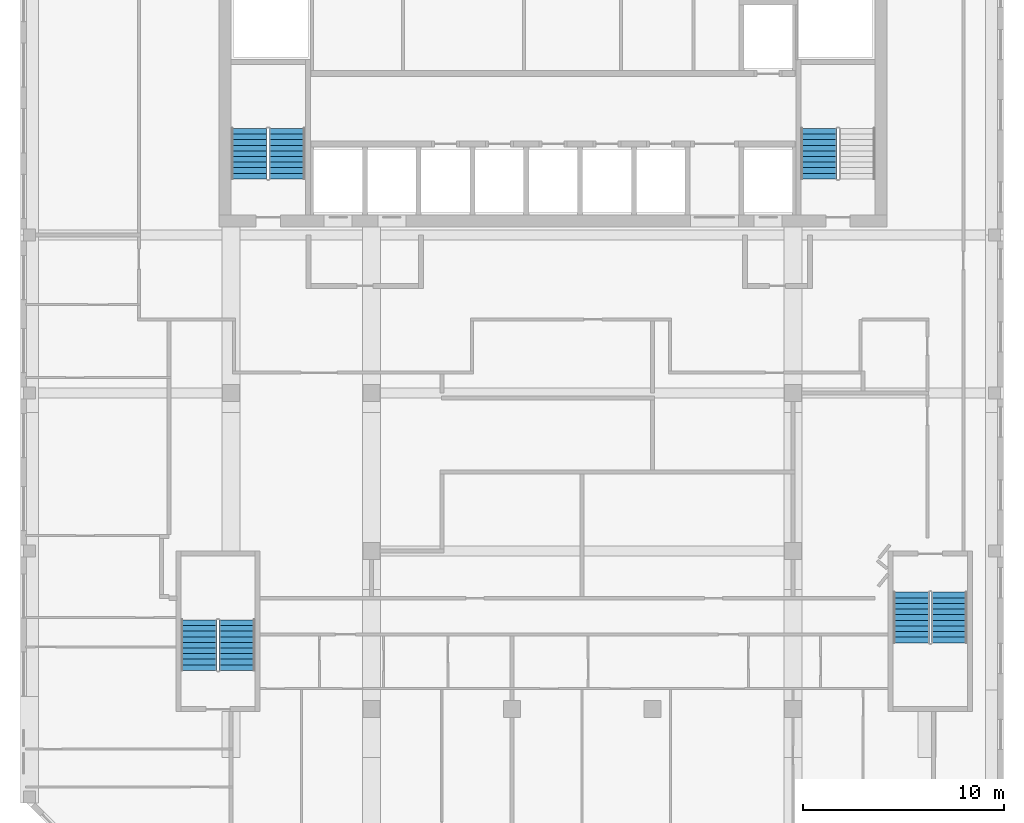
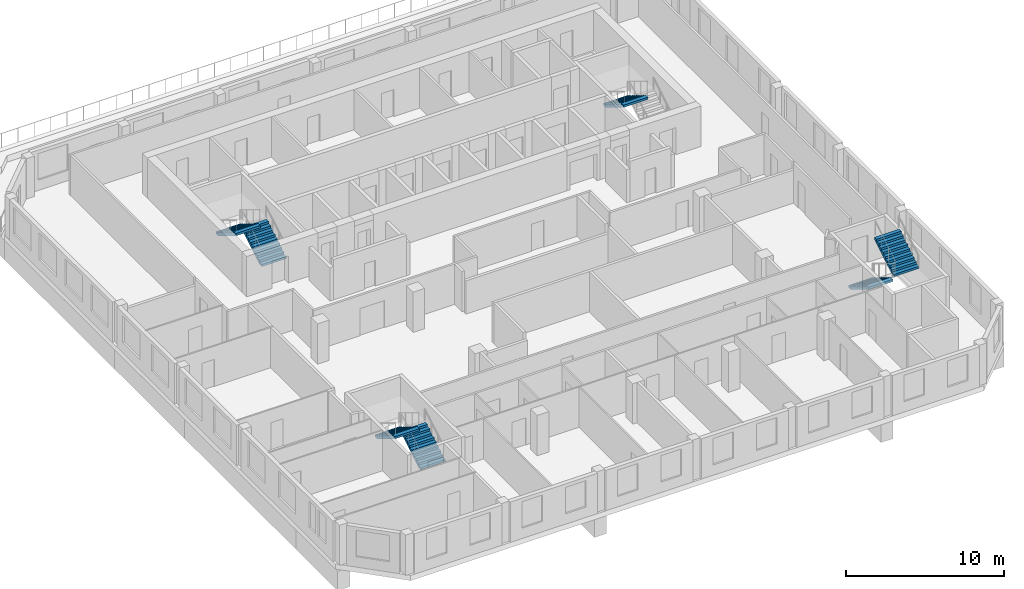
# One storey, part 9 of 12: 7 stair flights, 4 elements without a shape of their own.
"""IFC4 building model written with IfcOpenShell, lengths in metres."""

from ifc_helpers import new_model, si_unit, direction, frame, origin, place, context, subcontext, project, spatial, triangles, source, transform, mapped, material, type_object, element, aggregate, save


model = new_model("IFC4")

# Units and contexts
model_context = context("Model", 3, precision=1e-05, world=origin(), true_north=direction((0.0, 1.0)))
body_context = subcontext(model_context, "Body", "Model", "MODEL_VIEW")
ifc_project = project(units=[si_unit("LENGTHUNIT", "METRE"), si_unit("AREAUNIT", "SQUARE_METRE"), si_unit("VOLUMEUNIT", "CUBIC_METRE"), si_unit("PLANEANGLEUNIT", "RADIAN"), si_unit("MASSUNIT", "GRAM", prefix="KILO")], contexts=[model_context])

# Site, building, storey
site_placement = place(None, origin())
site = spatial("IfcSite", under=ifc_project, at=site_placement, CompositionType="ELEMENT")
building_placement = place(site_placement, origin())
building = spatial("IfcBuilding", under=site, at=building_placement, Name="Kilnfold Tower and Market Hall", CompositionType="ELEMENT")
storey_placement = place(building_placement, frame((0.0, 0.0, 295.0)))
storey = spatial("IfcBuildingStorey", under=building, at=storey_placement, Name="L73", CompositionType="ELEMENT", Elevation=295.0)

# Stair, stair flights
ifc_material_1 = material(Name="Concrete C40/50", Category="concrete")
stair_type = type_object("IfcStairType", Name="CORE STAIR 1800", PredefinedType="HALF_TURN_STAIR", material=ifc_material_1)
stair_1_placement = place(storey_placement, origin())
stair_1 = element("IfcStair", 1, at=stair_1_placement, inside=storey, type_object=stair_type, Name="L73 ST1", PredefinedType="HALF_TURN_STAIR")
ifc_material_2 = material(Name="Concrete C40/50", Category="concrete")
stair_flight_type = type_object("IfcStairFlightType", Name="CORE STAIR FLIGHT 1800", PredefinedType="STRAIGHT", material=ifc_material_2)
shared_shape = source(origin(), body_context, "Body", "Tessellation", [
    triangles([(0.0, 0.89990234375, 0.0), (0.0, 0.78759765625, 0.0), (0.0, 0.675048828125, 0.0), (0.0, 0.5625, 0.0), (0.0, 0.449951171875, 0.0), (0.0, 0.33740234375, 0.0), (0.0, 0.22509765625, 0.0), (0.0, 0.112548828125, 0.0), (0.0, 0.0, 0.0), (0.0, -0.112548828125, 0.0), (0.0, -0.22509765625, 0.0), (0.0, -0.33740234375, 0.0), (0.0, -0.449951171875, 0.0), (0.0, -0.5625, 0.0), (0.0, -0.675048828125, 0.0), (0.0, -0.78759765625, 0.0), (0.0, -0.89990234375, 0.0), (0.0, 0.89990234375, 0.169921875), (0.0, 0.78759765625, 0.169921875), (0.0, 0.675048828125, 0.169921875), (0.0, 0.5625, 0.169921875), (0.0, 0.449951171875, 0.169921875), (0.0, 0.33740234375, 0.169921875), (0.0, 0.22509765625, 0.169921875), (0.0, 0.112548828125, 0.169921875), (0.0, 0.0, 0.169921875), (0.0, -0.112548828125, 0.169921875), (0.0, -0.22509765625, 0.169921875), (0.0, -0.33740234375, 0.169921875), (0.0, -0.449951171875, 0.169921875), (0.0, -0.5625, 0.169921875), (0.0, -0.675048828125, 0.169921875), (0.0, -0.78759765625, 0.169921875), (0.0, -0.89990234375, 0.169921875), (0.280029296875, 0.89990234375, 0.169921875), (0.280029296875, 0.78759765625, 0.169921875), (0.280029296875, 0.675048828125, 0.169921875), (0.280029296875, 0.5625, 0.169921875), (0.280029296875, 0.449951171875, 0.169921875), (0.280029296875, 0.33740234375, 0.169921875), (0.280029296875, 0.22509765625, 0.169921875), (0.280029296875, 0.112548828125, 0.169921875), (0.280029296875, 0.0, 0.169921875), (0.280029296875, -0.112548828125, 0.169921875), (0.280029296875, -0.22509765625, 0.169921875), (0.280029296875, -0.33740234375, 0.169921875), (0.280029296875, -0.449951171875, 0.169921875), (0.280029296875, -0.5625, 0.169921875), (0.280029296875, -0.675048828125, 0.169921875), (0.280029296875, -0.78759765625, 0.169921875), (0.280029296875, -0.89990234375, 0.169921875), (0.280029296875, 0.89990234375, 0.340087890625), (0.280029296875, 0.78759765625, 0.340087890625), (0.280029296875, 0.675048828125, 0.340087890625), (0.280029296875, 0.5625, 0.340087890625), (0.280029296875, 0.449951171875, 0.340087890625), (0.280029296875, 0.33740234375, 0.340087890625), (0.280029296875, 0.22509765625, 0.340087890625), (0.280029296875, 0.112548828125, 0.340087890625), (0.280029296875, 0.0, 0.340087890625), (0.280029296875, -0.112548828125, 0.340087890625), (0.280029296875, -0.22509765625, 0.340087890625), (0.280029296875, -0.33740234375, 0.340087890625), (0.280029296875, -0.449951171875, 0.340087890625), (0.280029296875, -0.5625, 0.340087890625), (0.280029296875, -0.675048828125, 0.340087890625), (0.280029296875, -0.78759765625, 0.340087890625), (0.280029296875, -0.89990234375, 0.340087890625), (0.56005859375, 0.89990234375, 0.340087890625), (0.56005859375, 0.78759765625, 0.340087890625), (0.56005859375, 0.675048828125, 0.340087890625), (0.56005859375, 0.5625, 0.340087890625), (0.56005859375, 0.449951171875, 0.340087890625), (0.56005859375, 0.33740234375, 0.340087890625), (0.56005859375, 0.22509765625, 0.340087890625), (0.56005859375, 0.112548828125, 0.340087890625), (0.56005859375, 0.0, 0.340087890625), (0.56005859375, -0.112548828125, 0.340087890625), (0.56005859375, -0.22509765625, 0.340087890625), (0.56005859375, -0.33740234375, 0.340087890625), (0.56005859375, -0.449951171875, 0.340087890625), (0.56005859375, -0.5625, 0.340087890625), (0.56005859375, -0.675048828125, 0.340087890625), (0.56005859375, -0.78759765625, 0.340087890625), (0.56005859375, -0.89990234375, 0.340087890625), (0.56005859375, 0.89990234375, 0.510009765625), (0.56005859375, 0.78759765625, 0.510009765625), (0.56005859375, 0.675048828125, 0.510009765625), (0.56005859375, 0.5625, 0.510009765625), (0.56005859375, 0.449951171875, 0.510009765625), (0.56005859375, 0.33740234375, 0.510009765625), (0.56005859375, 0.22509765625, 0.510009765625), (0.56005859375, 0.112548828125, 0.510009765625), (0.56005859375, 0.0, 0.510009765625), (0.56005859375, -0.112548828125, 0.510009765625), (0.56005859375, -0.22509765625, 0.510009765625), (0.56005859375, -0.33740234375, 0.510009765625), (0.56005859375, -0.449951171875, 0.510009765625), (0.56005859375, -0.5625, 0.510009765625), (0.56005859375, -0.675048828125, 0.510009765625), (0.56005859375, -0.78759765625, 0.510009765625), (0.56005859375, -0.89990234375, 0.510009765625), (0.840087890625, 0.89990234375, 0.510009765625), (0.840087890625, 0.78759765625, 0.510009765625), (0.840087890625, 0.675048828125, 0.510009765625), (0.840087890625, 0.5625, 0.510009765625), (0.840087890625, 0.449951171875, 0.510009765625), (0.840087890625, 0.33740234375, 0.510009765625), (0.840087890625, 0.22509765625, 0.510009765625), (0.840087890625, 0.112548828125, 0.510009765625), (0.840087890625, 0.0, 0.510009765625), (0.840087890625, -0.112548828125, 0.510009765625), (0.840087890625, -0.22509765625, 0.510009765625), (0.840087890625, -0.33740234375, 0.510009765625), (0.840087890625, -0.449951171875, 0.510009765625), (0.840087890625, -0.5625, 0.510009765625), (0.840087890625, -0.675048828125, 0.510009765625), (0.840087890625, -0.78759765625, 0.510009765625), (0.840087890625, -0.89990234375, 0.510009765625), (0.840087890625, 0.89990234375, 0.679931640625), (0.840087890625, 0.78759765625, 0.679931640625), (0.840087890625, 0.675048828125, 0.679931640625), (0.840087890625, 0.5625, 0.679931640625), (0.840087890625, 0.449951171875, 0.679931640625), (0.840087890625, 0.33740234375, 0.679931640625), (0.840087890625, 0.22509765625, 0.679931640625), (0.840087890625, 0.112548828125, 0.679931640625), (0.840087890625, 0.0, 0.679931640625), (0.840087890625, -0.112548828125, 0.679931640625), (0.840087890625, -0.22509765625, 0.679931640625), (0.840087890625, -0.33740234375, 0.679931640625), (0.840087890625, -0.449951171875, 0.679931640625), (0.840087890625, -0.5625, 0.679931640625), (0.840087890625, -0.675048828125, 0.679931640625), (0.840087890625, -0.78759765625, 0.679931640625), (0.840087890625, -0.89990234375, 0.679931640625), (1.1201171875, 0.89990234375, 0.679931640625), (1.1201171875, 0.78759765625, 0.679931640625), (1.1201171875, 0.675048828125, 0.679931640625), (1.1201171875, 0.5625, 0.679931640625), (1.1201171875, 0.449951171875, 0.679931640625), (1.1201171875, 0.33740234375, 0.679931640625), (1.1201171875, 0.22509765625, 0.679931640625), (1.1201171875, 0.112548828125, 0.679931640625), (1.1201171875, 0.0, 0.679931640625), (1.1201171875, -0.112548828125, 0.679931640625), (1.1201171875, -0.22509765625, 0.679931640625), (1.1201171875, -0.33740234375, 0.679931640625), (1.1201171875, -0.449951171875, 0.679931640625), (1.1201171875, -0.5625, 0.679931640625), (1.1201171875, -0.675048828125, 0.679931640625), (1.1201171875, -0.78759765625, 0.679931640625), (1.1201171875, -0.89990234375, 0.679931640625), (1.1201171875, 0.89990234375, 0.85009765625), (1.1201171875, 0.78759765625, 0.85009765625), (1.1201171875, 0.675048828125, 0.85009765625), (1.1201171875, 0.5625, 0.85009765625), (1.1201171875, 0.449951171875, 0.85009765625), (1.1201171875, 0.33740234375, 0.85009765625), (1.1201171875, 0.22509765625, 0.85009765625), (1.1201171875, 0.112548828125, 0.85009765625), (1.1201171875, 0.0, 0.85009765625), (1.1201171875, -0.112548828125, 0.85009765625), (1.1201171875, -0.22509765625, 0.85009765625), (1.1201171875, -0.33740234375, 0.85009765625), (1.1201171875, -0.449951171875, 0.85009765625), (1.1201171875, -0.5625, 0.85009765625), (1.1201171875, -0.675048828125, 0.85009765625), (1.1201171875, -0.78759765625, 0.85009765625), (1.1201171875, -0.89990234375, 0.85009765625), (1.39990234375, 0.89990234375, 0.85009765625), (1.39990234375, 0.78759765625, 0.85009765625), (1.39990234375, 0.675048828125, 0.85009765625), (1.39990234375, 0.5625, 0.85009765625), (1.39990234375, 0.449951171875, 0.85009765625), (1.39990234375, 0.33740234375, 0.85009765625), (1.39990234375, 0.22509765625, 0.85009765625), (1.39990234375, 0.112548828125, 0.85009765625), (1.39990234375, 0.0, 0.85009765625), (1.39990234375, -0.112548828125, 0.85009765625), (1.39990234375, -0.22509765625, 0.85009765625), (1.39990234375, -0.33740234375, 0.85009765625), (1.39990234375, -0.449951171875, 0.85009765625), (1.39990234375, -0.5625, 0.85009765625), (1.39990234375, -0.675048828125, 0.85009765625), (1.39990234375, -0.78759765625, 0.85009765625), (1.39990234375, -0.89990234375, 0.85009765625), (1.39990234375, 0.89990234375, 1.02001953125), (1.39990234375, 0.78759765625, 1.02001953125), (1.39990234375, 0.675048828125, 1.02001953125), (1.39990234375, 0.5625, 1.02001953125), (1.39990234375, 0.449951171875, 1.02001953125), (1.39990234375, 0.33740234375, 1.02001953125), (1.39990234375, 0.22509765625, 1.02001953125), (1.39990234375, 0.112548828125, 1.02001953125), (1.39990234375, 0.0, 1.02001953125), (1.39990234375, -0.112548828125, 1.02001953125), (1.39990234375, -0.22509765625, 1.02001953125), (1.39990234375, -0.33740234375, 1.02001953125), (1.39990234375, -0.449951171875, 1.02001953125), (1.39990234375, -0.5625, 1.02001953125), (1.39990234375, -0.675048828125, 1.02001953125), (1.39990234375, -0.78759765625, 1.02001953125), (1.39990234375, -0.89990234375, 1.02001953125), (1.679931640625, 0.89990234375, 1.02001953125), (1.679931640625, 0.78759765625, 1.02001953125), (1.679931640625, 0.675048828125, 1.02001953125), (1.679931640625, 0.5625, 1.02001953125), (1.679931640625, 0.449951171875, 1.02001953125), (1.679931640625, 0.33740234375, 1.02001953125), (1.679931640625, 0.22509765625, 1.02001953125), (1.679931640625, 0.112548828125, 1.02001953125), (1.679931640625, 0.0, 1.02001953125), (1.679931640625, -0.112548828125, 1.02001953125), (1.679931640625, -0.22509765625, 1.02001953125), (1.679931640625, -0.33740234375, 1.02001953125), (1.679931640625, -0.449951171875, 1.02001953125), (1.679931640625, -0.5625, 1.02001953125), (1.679931640625, -0.675048828125, 1.02001953125), (1.679931640625, -0.78759765625, 1.02001953125), (1.679931640625, -0.89990234375, 1.02001953125), (1.679931640625, 0.89990234375, 1.18994140625), (1.679931640625, 0.78759765625, 1.18994140625), (1.679931640625, 0.675048828125, 1.18994140625), (1.679931640625, 0.5625, 1.18994140625), (1.679931640625, 0.449951171875, 1.18994140625), (1.679931640625, 0.33740234375, 1.18994140625), (1.679931640625, 0.22509765625, 1.18994140625), (1.679931640625, 0.112548828125, 1.18994140625), (1.679931640625, 0.0, 1.18994140625), (1.679931640625, -0.112548828125, 1.18994140625), (1.679931640625, -0.22509765625, 1.18994140625), (1.679931640625, -0.33740234375, 1.18994140625), (1.679931640625, -0.449951171875, 1.18994140625), (1.679931640625, -0.5625, 1.18994140625), (1.679931640625, -0.675048828125, 1.18994140625), (1.679931640625, -0.78759765625, 1.18994140625), (1.679931640625, -0.89990234375, 1.18994140625), (1.9599609375, 0.89990234375, 1.18994140625), (1.9599609375, 0.78759765625, 1.18994140625), (1.9599609375, 0.675048828125, 1.18994140625), (1.9599609375, 0.5625, 1.18994140625), (1.9599609375, 0.449951171875, 1.18994140625), (1.9599609375, 0.33740234375, 1.18994140625), (1.9599609375, 0.22509765625, 1.18994140625), (1.9599609375, 0.112548828125, 1.18994140625), (1.9599609375, 0.0, 1.18994140625), (1.9599609375, -0.112548828125, 1.18994140625), (1.9599609375, -0.22509765625, 1.18994140625), (1.9599609375, -0.33740234375, 1.18994140625), (1.9599609375, -0.449951171875, 1.18994140625), (1.9599609375, -0.5625, 1.18994140625), (1.9599609375, -0.675048828125, 1.18994140625), (1.9599609375, -0.78759765625, 1.18994140625), (1.9599609375, -0.89990234375, 1.18994140625), (1.9599609375, 0.89990234375, 1.360107421875), (1.9599609375, 0.78759765625, 1.360107421875), (1.9599609375, 0.675048828125, 1.360107421875), (1.9599609375, 0.5625, 1.360107421875), (1.9599609375, 0.449951171875, 1.360107421875), (1.9599609375, 0.33740234375, 1.360107421875), (1.9599609375, 0.22509765625, 1.360107421875), (1.9599609375, 0.112548828125, 1.360107421875), (1.9599609375, 0.0, 1.360107421875), (1.9599609375, -0.112548828125, 1.360107421875), (1.9599609375, -0.22509765625, 1.360107421875), (1.9599609375, -0.33740234375, 1.360107421875), (1.9599609375, -0.449951171875, 1.360107421875), (1.9599609375, -0.5625, 1.360107421875), (1.9599609375, -0.675048828125, 1.360107421875), (1.9599609375, -0.78759765625, 1.360107421875), (1.9599609375, -0.89990234375, 1.360107421875), (2.239990234375, 0.89990234375, 1.360107421875), (2.239990234375, 0.78759765625, 1.360107421875), (2.239990234375, 0.675048828125, 1.360107421875), (2.239990234375, 0.5625, 1.360107421875), (2.239990234375, 0.449951171875, 1.360107421875), (2.239990234375, 0.33740234375, 1.360107421875), (2.239990234375, 0.22509765625, 1.360107421875), (2.239990234375, 0.112548828125, 1.360107421875), (2.239990234375, 0.0, 1.360107421875), (2.239990234375, -0.112548828125, 1.360107421875), (2.239990234375, -0.22509765625, 1.360107421875), (2.239990234375, -0.33740234375, 1.360107421875), (2.239990234375, -0.449951171875, 1.360107421875), (2.239990234375, -0.5625, 1.360107421875), (2.239990234375, -0.675048828125, 1.360107421875), (2.239990234375, -0.78759765625, 1.360107421875), (2.239990234375, -0.89990234375, 1.360107421875), (2.239990234375, 0.89990234375, 1.530029296875), (2.239990234375, 0.78759765625, 1.530029296875), (2.239990234375, 0.675048828125, 1.530029296875), (2.239990234375, 0.5625, 1.530029296875), (2.239990234375, 0.449951171875, 1.530029296875), (2.239990234375, 0.33740234375, 1.530029296875), (2.239990234375, 0.22509765625, 1.530029296875), (2.239990234375, 0.112548828125, 1.530029296875), (2.239990234375, 0.0, 1.530029296875), (2.239990234375, -0.112548828125, 1.530029296875), (2.239990234375, -0.22509765625, 1.530029296875), (2.239990234375, -0.33740234375, 1.530029296875), (2.239990234375, -0.449951171875, 1.530029296875), (2.239990234375, -0.5625, 1.530029296875), (2.239990234375, -0.675048828125, 1.530029296875), (2.239990234375, -0.78759765625, 1.530029296875), (2.239990234375, -0.89990234375, 1.530029296875), (2.52001953125, 0.89990234375, 1.530029296875), (2.52001953125, 0.78759765625, 1.530029296875), (2.52001953125, 0.675048828125, 1.530029296875), (2.52001953125, 0.5625, 1.530029296875), (2.52001953125, 0.449951171875, 1.530029296875), (2.52001953125, 0.33740234375, 1.530029296875), (2.52001953125, 0.22509765625, 1.530029296875), (2.52001953125, 0.112548828125, 1.530029296875), (2.52001953125, 0.0, 1.530029296875), (2.52001953125, -0.112548828125, 1.530029296875), (2.52001953125, -0.22509765625, 1.530029296875), (2.52001953125, -0.33740234375, 1.530029296875), (2.52001953125, -0.449951171875, 1.530029296875), (2.52001953125, -0.5625, 1.530029296875), (2.52001953125, -0.675048828125, 1.530029296875), (2.52001953125, -0.78759765625, 1.530029296875), (2.52001953125, -0.89990234375, 1.530029296875), (2.52001953125, 0.89990234375, 1.354736328125), (2.52001953125, 0.78759765625, 1.354736328125), (2.52001953125, 0.675048828125, 1.354736328125), (2.52001953125, 0.5625, 1.354736328125), (2.52001953125, 0.449951171875, 1.354736328125), (2.52001953125, 0.33740234375, 1.354736328125), (2.52001953125, 0.22509765625, 1.354736328125), (2.52001953125, 0.112548828125, 1.354736328125), (2.52001953125, 0.0, 1.354736328125), (2.52001953125, -0.112548828125, 1.354736328125), (2.52001953125, -0.22509765625, 1.354736328125), (2.52001953125, -0.33740234375, 1.354736328125), (2.52001953125, -0.449951171875, 1.354736328125), (2.52001953125, -0.5625, 1.354736328125), (2.52001953125, -0.675048828125, 1.354736328125), (2.52001953125, -0.78759765625, 1.354736328125), (2.52001953125, -0.89990234375, 1.354736328125), (0.288818359375, 0.89990234375, 0.0), (0.288818359375, 0.78759765625, 0.0), (0.288818359375, 0.675048828125, 0.0), (0.288818359375, 0.5625, 0.0), (0.288818359375, 0.449951171875, 0.0), (0.288818359375, 0.33740234375, 0.0), (0.288818359375, 0.22509765625, 0.0), (0.288818359375, 0.112548828125, 0.0), (0.288818359375, 0.0, 0.0), (0.288818359375, -0.112548828125, 0.0), (0.288818359375, -0.22509765625, 0.0), (0.288818359375, -0.33740234375, 0.0), (0.288818359375, -0.449951171875, 0.0), (0.288818359375, -0.5625, 0.0), (0.288818359375, -0.675048828125, 0.0), (0.288818359375, -0.78759765625, 0.0), (0.288818359375, -0.89990234375, 0.0)], [[1, 324, 341], [17, 357, 340], [324, 290, 307], [340, 323, 306], [324, 273, 290], [340, 306, 289], [324, 256, 273], [340, 289, 272], [324, 239, 256], [340, 272, 255], [239, 205, 222], [255, 238, 221], [324, 205, 239], [340, 255, 221], [205, 171, 188], [221, 204, 187], [324, 171, 205], [340, 221, 187], [171, 137, 154], [187, 170, 153], [324, 137, 171], [340, 187, 153], [137, 103, 120], [153, 136, 119], [324, 103, 137], [340, 153, 119], [103, 69, 86], [119, 102, 85], [324, 69, 103], [340, 119, 85], [69, 35, 52], [85, 68, 51], [324, 35, 69], [340, 85, 51], [1, 35, 324], [17, 340, 51], [35, 1, 18], [51, 34, 17], [1, 19, 18], [1, 2, 19], [2, 20, 19], [2, 3, 20], [3, 21, 20], [3, 4, 21], [4, 22, 21], [4, 5, 22], [5, 23, 22], [5, 6, 23], [6, 24, 23], [6, 7, 24], [7, 25, 24], [7, 8, 25], [8, 26, 25], [8, 9, 26], [9, 27, 26], [9, 10, 27], [10, 28, 27], [10, 11, 28], [11, 29, 28], [11, 12, 29], [12, 30, 29], [12, 13, 30], [13, 31, 30], [13, 14, 31], [14, 32, 31], [14, 15, 32], [15, 33, 32], [15, 16, 33], [16, 34, 33], [16, 17, 34], [18, 36, 35], [18, 19, 36], [19, 37, 36], [19, 20, 37], [20, 38, 37], [20, 21, 38], [21, 39, 38], [21, 22, 39], [22, 40, 39], [22, 23, 40], [23, 41, 40], [23, 24, 41], [24, 42, 41], [24, 25, 42], [25, 43, 42], [25, 26, 43], [26, 44, 43], [26, 27, 44], [27, 45, 44], [27, 28, 45], [28, 46, 45], [28, 29, 46], [29, 47, 46], [29, 30, 47], [30, 48, 47], [30, 31, 48], [31, 49, 48], [31, 32, 49], [32, 50, 49], [32, 33, 50], [33, 51, 50], [33, 34, 51], [35, 53, 52], [35, 36, 53], [36, 54, 53], [36, 37, 54], [37, 55, 54], [37, 38, 55], [38, 56, 55], [38, 39, 56], [39, 57, 56], [39, 40, 57], [40, 58, 57], [40, 41, 58], [41, 59, 58], [41, 42, 59], [42, 60, 59], [42, 43, 60], [43, 61, 60], [43, 44, 61], [44, 62, 61], [44, 45, 62], [45, 63, 62], [45, 46, 63], [46, 64, 63], [46, 47, 64], [47, 65, 64], [47, 48, 65], [48, 66, 65], [48, 49, 66], [49, 67, 66], [49, 50, 67], [50, 68, 67], [50, 51, 68], [52, 70, 69], [52, 53, 70], [53, 71, 70], [53, 54, 71], [54, 72, 71], [54, 55, 72], [55, 73, 72], [55, 56, 73], [56, 74, 73], [56, 57, 74], [57, 75, 74], [57, 58, 75], [58, 76, 75], [58, 59, 76], [59, 77, 76], [59, 60, 77], [60, 78, 77], [60, 61, 78], [61, 79, 78], [61, 62, 79], [62, 80, 79], [62, 63, 80], [63, 81, 80], [63, 64, 81], [64, 82, 81], [64, 65, 82], [65, 83, 82], [65, 66, 83], [66, 84, 83], [66, 67, 84], [67, 85, 84], [67, 68, 85], [69, 87, 86], [69, 70, 87], [70, 88, 87], [70, 71, 88], [71, 89, 88], [71, 72, 89], [72, 90, 89], [72, 73, 90], [73, 91, 90], [73, 74, 91], [74, 92, 91], [74, 75, 92], [75, 93, 92], [75, 76, 93], [76, 94, 93], [76, 77, 94], [77, 95, 94], [77, 78, 95], [78, 96, 95], [78, 79, 96], [79, 97, 96], [79, 80, 97], [80, 98, 97], [80, 81, 98], [81, 99, 98], [81, 82, 99], [82, 100, 99], [82, 83, 100], [83, 101, 100], [83, 84, 101], [84, 102, 101], [84, 85, 102], [86, 104, 103], [86, 87, 104], [87, 105, 104], [87, 88, 105], [88, 106, 105], [88, 89, 106], [89, 107, 106], [89, 90, 107], [90, 108, 107], [90, 91, 108], [91, 109, 108], [91, 92, 109], [92, 110, 109], [92, 93, 110], [93, 111, 110], [93, 94, 111], [94, 112, 111], [94, 95, 112], [95, 113, 112], [95, 96, 113], [96, 114, 113], [96, 97, 114], [97, 115, 114], [97, 98, 115], [98, 116, 115], [98, 99, 116], [99, 117, 116], [99, 100, 117], [100, 118, 117], [100, 101, 118], [101, 119, 118], [101, 102, 119], [103, 121, 120], [103, 104, 121], [104, 122, 121], [104, 105, 122], [105, 123, 122], [105, 106, 123], [106, 124, 123], [106, 107, 124], [107, 125, 124], [107, 108, 125], [108, 126, 125], [108, 109, 126], [109, 127, 126], [109, 110, 127], [110, 128, 127], [110, 111, 128], [111, 129, 128], [111, 112, 129], [112, 130, 129], [112, 113, 130], [113, 131, 130], [113, 114, 131], [114, 132, 131], [114, 115, 132], [115, 133, 132], [115, 116, 133], [116, 134, 133], [116, 117, 134], [117, 135, 134], [117, 118, 135], [118, 136, 135], [118, 119, 136], [120, 138, 137], [120, 121, 138], [121, 139, 138], [121, 122, 139], [122, 140, 139], [122, 123, 140], [123, 141, 140], [123, 124, 141], [124, 142, 141], [124, 125, 142], [125, 143, 142], [125, 126, 143], [126, 144, 143], [126, 127, 144], [127, 145, 144], [127, 128, 145], [128, 146, 145], [128, 129, 146], [129, 147, 146], [129, 130, 147], [130, 148, 147], [130, 131, 148], [131, 149, 148], [131, 132, 149], [132, 150, 149], [132, 133, 150], [133, 151, 150], [133, 134, 151], [134, 152, 151], [134, 135, 152], [135, 153, 152], [135, 136, 153], [137, 155, 154], [137, 138, 155], [138, 156, 155], [138, 139, 156], [139, 157, 156], [139, 140, 157], [140, 158, 157], [140, 141, 158], [141, 159, 158], [141, 142, 159], [142, 160, 159], [142, 143, 160], [143, 161, 160], [143, 144, 161], [144, 162, 161], [144, 145, 162], [145, 163, 162], [145, 146, 163], [146, 164, 163], [146, 147, 164], [147, 165, 164], [147, 148, 165], [148, 166, 165], [148, 149, 166], [149, 167, 166], [149, 150, 167], [150, 168, 167], [150, 151, 168], [151, 169, 168], [151, 152, 169], [152, 170, 169], [152, 153, 170], [154, 172, 171], [154, 155, 172], [155, 173, 172], [155, 156, 173], [156, 174, 173], [156, 157, 174], [157, 175, 174], [157, 158, 175], [158, 176, 175], [158, 159, 176], [159, 177, 176], [159, 160, 177], [160, 178, 177], [160, 161, 178], [161, 179, 178], [161, 162, 179], [162, 180, 179], [162, 163, 180], [163, 181, 180], [163, 164, 181], [164, 182, 181], [164, 165, 182], [165, 183, 182], [165, 166, 183], [166, 184, 183], [166, 167, 184], [167, 185, 184], [167, 168, 185], [168, 186, 185], [168, 169, 186], [169, 187, 186], [169, 170, 187], [171, 189, 188], [171, 172, 189], [172, 190, 189], [172, 173, 190], [173, 191, 190], [173, 174, 191], [174, 192, 191], [174, 175, 192], [175, 193, 192], [175, 176, 193], [176, 194, 193], [176, 177, 194], [177, 195, 194], [177, 178, 195], [178, 196, 195], [178, 179, 196], [179, 197, 196], [179, 180, 197], [180, 198, 197], [180, 181, 198], [181, 199, 198], [181, 182, 199], [182, 200, 199], [182, 183, 200], [183, 201, 200], [183, 184, 201], [184, 202, 201], [184, 185, 202], [185, 203, 202], [185, 186, 203], [186, 204, 203], [186, 187, 204], [188, 206, 205], [188, 189, 206], [189, 207, 206], [189, 190, 207], [190, 208, 207], [190, 191, 208], [191, 209, 208], [191, 192, 209], [192, 210, 209], [192, 193, 210], [193, 211, 210], [193, 194, 211], [194, 212, 211], [194, 195, 212], [195, 213, 212], [195, 196, 213], [196, 214, 213], [196, 197, 214], [197, 215, 214], [197, 198, 215], [198, 216, 215], [198, 199, 216], [199, 217, 216], [199, 200, 217], [200, 218, 217], [200, 201, 218], [201, 219, 218], [201, 202, 219], [202, 220, 219], [202, 203, 220], [203, 221, 220], [203, 204, 221], [205, 223, 222], [205, 206, 223], [206, 224, 223], [206, 207, 224], [207, 225, 224], [207, 208, 225], [208, 226, 225], [208, 209, 226], [209, 227, 226], [209, 210, 227], [210, 228, 227], [210, 211, 228], [211, 229, 228], [211, 212, 229], [212, 230, 229], [212, 213, 230], [213, 231, 230], [213, 214, 231], [214, 232, 231], [214, 215, 232], [215, 233, 232], [215, 216, 233], [216, 234, 233], [216, 217, 234], [217, 235, 234], [217, 218, 235], [218, 236, 235], [218, 219, 236], [219, 237, 236], [219, 220, 237], [220, 238, 237], [220, 221, 238], [222, 240, 239], [222, 223, 240], [223, 241, 240], [223, 224, 241], [224, 242, 241], [224, 225, 242], [225, 243, 242], [225, 226, 243], [226, 244, 243], [226, 227, 244], [227, 245, 244], [227, 228, 245], [228, 246, 245], [228, 229, 246], [229, 247, 246], [229, 230, 247], [230, 248, 247], [230, 231, 248], [231, 249, 248], [231, 232, 249], [232, 250, 249], [232, 233, 250], [233, 251, 250], [233, 234, 251], [234, 252, 251], [234, 235, 252], [235, 253, 252], [235, 236, 253], [236, 254, 253], [236, 237, 254], [237, 255, 254], [237, 238, 255], [239, 257, 256], [239, 240, 257], [240, 258, 257], [240, 241, 258], [241, 259, 258], [241, 242, 259], [242, 260, 259], [242, 243, 260], [243, 261, 260], [243, 244, 261], [244, 262, 261], [244, 245, 262], [245, 263, 262], [245, 246, 263], [246, 264, 263], [246, 247, 264], [247, 265, 264], [247, 248, 265], [248, 266, 265], [248, 249, 266], [249, 267, 266], [249, 250, 267], [250, 268, 267], [250, 251, 268], [251, 269, 268], [251, 252, 269], [252, 270, 269], [252, 253, 270], [253, 271, 270], [253, 254, 271], [254, 272, 271], [254, 255, 272], [256, 274, 273], [256, 257, 274], [257, 275, 274], [257, 258, 275], [258, 276, 275], [258, 259, 276], [259, 277, 276], [259, 260, 277], [260, 278, 277], [260, 261, 278], [261, 279, 278], [261, 262, 279], [262, 280, 279], [262, 263, 280], [263, 281, 280], [263, 264, 281], [264, 282, 281], [264, 265, 282], [265, 283, 282], [265, 266, 283], [266, 284, 283], [266, 267, 284], [267, 285, 284], [267, 268, 285], [268, 286, 285], [268, 269, 286], [269, 287, 286], [269, 270, 287], [270, 288, 287], [270, 271, 288], [271, 289, 288], [271, 272, 289], [273, 291, 290], [273, 274, 291], [274, 292, 291], [274, 275, 292], [275, 293, 292], [275, 276, 293], [276, 294, 293], [276, 277, 294], [277, 295, 294], [277, 278, 295], [278, 296, 295], [278, 279, 296], [279, 297, 296], [279, 280, 297], [280, 298, 297], [280, 281, 298], [281, 299, 298], [281, 282, 299], [282, 300, 299], [282, 283, 300], [283, 301, 300], [283, 284, 301], [284, 302, 301], [284, 285, 302], [285, 303, 302], [285, 286, 303], [286, 304, 303], [286, 287, 304], [287, 305, 304], [287, 288, 305], [288, 306, 305], [288, 289, 306], [290, 308, 307], [290, 291, 308], [291, 309, 308], [291, 292, 309], [292, 310, 309], [292, 293, 310], [293, 311, 310], [293, 294, 311], [294, 312, 311], [294, 295, 312], [295, 313, 312], [295, 296, 313], [296, 314, 313], [296, 297, 314], [297, 315, 314], [297, 298, 315], [298, 316, 315], [298, 299, 316], [299, 317, 316], [299, 300, 317], [300, 318, 317], [300, 301, 318], [301, 319, 318], [301, 302, 319], [302, 320, 319], [302, 303, 320], [303, 321, 320], [303, 304, 321], [304, 322, 321], [304, 305, 322], [305, 323, 322], [305, 306, 323], [307, 325, 324], [307, 308, 325], [308, 326, 325], [308, 309, 326], [309, 327, 326], [309, 310, 327], [310, 328, 327], [310, 311, 328], [311, 329, 328], [311, 312, 329], [312, 330, 329], [312, 313, 330], [313, 331, 330], [313, 314, 331], [314, 332, 331], [314, 315, 332], [315, 333, 332], [315, 316, 333], [316, 334, 333], [316, 317, 334], [317, 335, 334], [317, 318, 335], [318, 336, 335], [318, 319, 336], [319, 337, 336], [319, 320, 337], [320, 338, 337], [320, 321, 338], [321, 339, 338], [321, 322, 339], [322, 340, 339], [322, 323, 340], [324, 342, 341], [324, 325, 342], [325, 343, 342], [325, 326, 343], [326, 344, 343], [326, 327, 344], [327, 345, 344], [327, 328, 345], [328, 346, 345], [328, 329, 346], [329, 347, 346], [329, 330, 347], [330, 348, 347], [330, 331, 348], [331, 349, 348], [331, 332, 349], [332, 350, 349], [332, 333, 350], [333, 351, 350], [333, 334, 351], [334, 352, 351], [334, 335, 352], [335, 353, 352], [335, 336, 353], [336, 354, 353], [336, 337, 354], [337, 355, 354], [337, 338, 355], [338, 356, 355], [338, 339, 356], [339, 357, 356], [339, 340, 357], [341, 2, 1], [341, 342, 2], [342, 3, 2], [342, 343, 3], [343, 4, 3], [343, 344, 4], [344, 5, 4], [344, 345, 5], [345, 6, 5], [345, 346, 6], [346, 7, 6], [346, 347, 7], [347, 8, 7], [347, 348, 8], [348, 9, 8], [348, 349, 9], [349, 10, 9], [349, 350, 10], [350, 11, 10], [350, 351, 11], [351, 12, 11], [351, 352, 12], [352, 13, 12], [352, 353, 13], [353, 14, 13], [353, 354, 14], [354, 15, 14], [354, 355, 15], [355, 16, 15], [355, 356, 16], [356, 17, 16], [356, 357, 17]], closed=True),
])
stair_flight_1_placement = place(storey_placement, frame((-12.199951171875, 10.800048828125, 0.0), z_axis=(0.0, 0.0, 1.0), x_axis=(0.0, 1.0, 0.0)))
stair_flight_1 = element("IfcStairFlight", 2, at=stair_flight_1_placement, type_object=stair_flight_type, Name="ST1 flight 1", NumberOfRisers=10, NumberOfTreads=9, PredefinedType="STRAIGHT", RiserHeight=0.17, TreadLength=0.28, context=body_context, shape_type="MappedRepresentation", body=[
    mapped(shared_shape, transform((0.0, 0.0, 0.0))),
])
stair_flight_2_placement = place(storey_placement, frame((-14.10009765625, 13.320068359375, 1.699951171875), z_axis=(0.0, 0.0, 1.0), x_axis=(0.0, -1.0, 0.0)))
stair_flight_2 = element("IfcStairFlight", 3, at=stair_flight_2_placement, type_object=stair_flight_type, Name="ST1 flight 2", NumberOfRisers=10, NumberOfTreads=9, PredefinedType="STRAIGHT", RiserHeight=0.17, TreadLength=0.28, context=body_context, shape_type="MappedRepresentation", body=[
    mapped(shared_shape, transform((0.0, 0.0, 0.0))),
])
aggregate(stair_1, [stair_flight_1, stair_flight_2])

# Stair, stair flight
stair_2_placement = place(storey_placement, origin())
stair_2 = element("IfcStair", 4, at=stair_2_placement, inside=storey, type_object=stair_type, Name="L73 ST2", PredefinedType="HALF_TURN_STAIR")
stair_flight_3_placement = place(storey_placement, frame((14.300048828125, 13.320068359375, 1.699951171875), z_axis=(0.0, 0.0, 1.0), x_axis=(0.0, -1.0, 0.0)))
stair_flight_3 = element("IfcStairFlight", 5, at=stair_flight_3_placement, type_object=stair_flight_type, Name="ST2 flight 2", NumberOfRisers=10, NumberOfTreads=9, PredefinedType="STRAIGHT", RiserHeight=0.17, TreadLength=0.28, context=body_context, shape_type="MappedRepresentation", body=[
    mapped(shared_shape, transform((0.0, 0.0, 0.0))),
])
aggregate(stair_2, [stair_flight_3])

# Stair, stair flights
stair_3_placement = place(storey_placement, origin())
stair_3 = element("IfcStair", 6, at=stair_3_placement, inside=storey, type_object=stair_type, Name="L73 ST3", PredefinedType="HALF_TURN_STAIR")
stair_flight_4_placement = place(storey_placement, frame((-14.699951171875, -13.699951171875, 0.0), z_axis=(0.0, 0.0, 1.0), x_axis=(0.0, 1.0, 0.0)))
stair_flight_4 = element("IfcStairFlight", 7, at=stair_flight_4_placement, type_object=stair_flight_type, Name="ST3 flight 1", NumberOfRisers=10, NumberOfTreads=9, PredefinedType="STRAIGHT", RiserHeight=0.17, TreadLength=0.28, context=body_context, shape_type="MappedRepresentation", body=[
    mapped(shared_shape, transform((0.0, 0.0, 0.0))),
])
stair_flight_5_placement = place(storey_placement, frame((-16.60009765625, -11.179931640625, 1.699951171875), z_axis=(0.0, 0.0, 1.0), x_axis=(0.0, -1.0, 0.0)))
stair_flight_5 = element("IfcStairFlight", 8, at=stair_flight_5_placement, type_object=stair_flight_type, Name="ST3 flight 2", NumberOfRisers=10, NumberOfTreads=9, PredefinedType="STRAIGHT", RiserHeight=0.17, TreadLength=0.28, context=body_context, shape_type="MappedRepresentation", body=[
    mapped(shared_shape, transform((0.0, 0.0, 0.0))),
])
aggregate(stair_3, [stair_flight_4, stair_flight_5])

stair_4_placement = place(storey_placement, origin())
stair_4 = element("IfcStair", 9, at=stair_4_placement, inside=storey, type_object=stair_type, Name="L73 ST4", PredefinedType="HALF_TURN_STAIR")
stair_flight_6_placement = place(storey_placement, frame((18.89990234375, -9.800048828125, 0.0), z_axis=(0.0, 0.0, 1.0), x_axis=(0.0, -1.0, 0.0)))
stair_flight_6 = element("IfcStairFlight", 10, at=stair_flight_6_placement, type_object=stair_flight_type, Name="ST4 flight 1", NumberOfRisers=10, NumberOfTreads=9, PredefinedType="STRAIGHT", RiserHeight=0.17, TreadLength=0.28, context=body_context, shape_type="MappedRepresentation", body=[
    mapped(shared_shape, transform((0.0, 0.0, 0.0))),
])
stair_flight_7_placement = place(storey_placement, frame((20.800048828125, -12.320068359375, 1.699951171875), z_axis=(0.0, 0.0, 1.0), x_axis=(0.0, 1.0, 0.0)))
stair_flight_7 = element("IfcStairFlight", 11, at=stair_flight_7_placement, type_object=stair_flight_type, Name="ST4 flight 2", NumberOfRisers=10, NumberOfTreads=9, PredefinedType="STRAIGHT", RiserHeight=0.17, TreadLength=0.28, context=body_context, shape_type="MappedRepresentation", body=[
    mapped(shared_shape, transform((0.0, 0.0, 0.0))),
])
aggregate(stair_4, [stair_flight_6, stair_flight_7])

save(model, "model.ifc")
